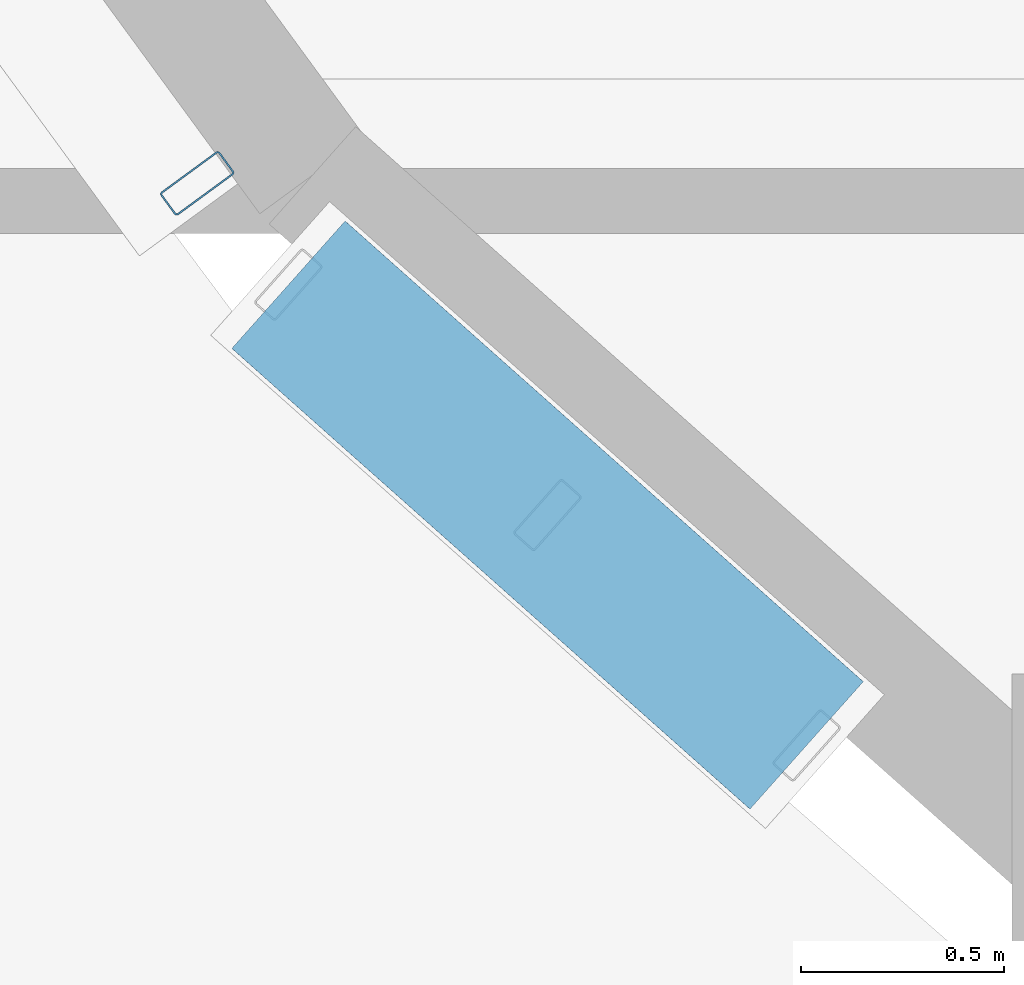
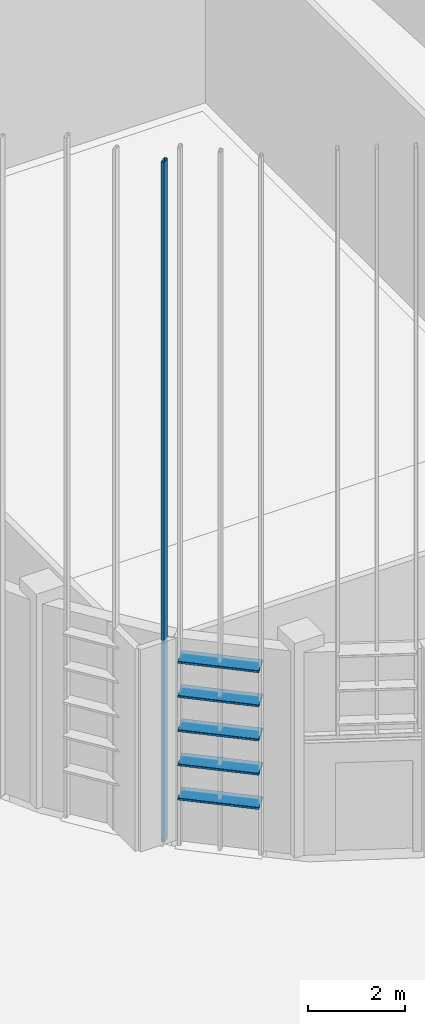
# One storey, part 154 of 372: 6 members.
"""IFC4 building model written with IfcOpenShell, lengths in metres."""

from ifc_helpers import new_model, si_unit, direction, frame, origin, origin_2d, place, context, subcontext, project, spatial, hollow_rectangle, extrude, material, material_profile, profile_set, type_object, element, save


model = new_model("IFC4")

# Units and contexts
model_context = context("Model", 3, precision=1e-05, world=origin(), true_north=direction((0.0, 1.0)))
body_context = subcontext(model_context, "Body", "Model", "MODEL_VIEW")
ifc_project = project(units=[si_unit("LENGTHUNIT", "METRE"), si_unit("AREAUNIT", "SQUARE_METRE"), si_unit("VOLUMEUNIT", "CUBIC_METRE"), si_unit("PLANEANGLEUNIT", "RADIAN"), si_unit("MASSUNIT", "GRAM", prefix="KILO")], contexts=[model_context])

# Site, building, storey
site_placement = place(None, origin())
site = spatial("IfcSite", under=ifc_project, at=site_placement, CompositionType="ELEMENT")
building_placement = place(site_placement, origin())
building = spatial("IfcBuilding", under=site, at=building_placement, Name="Kaelora Sail Theatre", CompositionType="ELEMENT")
storey_placement = place(building_placement, origin())
storey = spatial("IfcBuildingStorey", under=building, at=storey_placement, Name="L00", CompositionType="ELEMENT", Elevation=0.0)

# Members
ifc_material_1 = material(Name="Anodised aluminium 6063-T6", Category="aluminium")
ifc_material_profile_1 = material_profile(ifc_material_1, hollow_rectangle(XDim=0.419921875, YDim=0.054931640625, WallThickness=0.00390625, InnerFilletRadius=0.00390625, OuterFilletRadius=0.008056640625, at=origin_2d()), Name="LOUVRE 420x55x4")
ifc_profile_set_1 = profile_set([ifc_material_profile_1], Name="Anodised aluminium 6063-T6")
member_type_1 = type_object("IfcMemberType", Name="ARC-MEM-LVR-420", PredefinedType="USERDEFINED", material=ifc_profile_set_1)
for number, where, z_axis, x_axis, name in (
    (1, (129.939208984375, 25.662109375, 1.25), (-0.747346111026, 0.664434940633, 0.0), (-0.664434940633, -0.747346111026, 0.0), "Black-Box and Experimental Sail Wing horizontal solar louvre C13-01"),
    (2, (129.939208984375, 25.662109375, 2.110107421875), (-0.747346111026, 0.664434940633, 0.0), (-0.664434940633, -0.747346111026, 0.0), "Black-Box and Experimental Sail Wing horizontal solar louvre C13-02"),
    (3, (129.939208984375, 25.662109375, 2.969970703125), (-0.747346111026, 0.664434940633, 0.0), (-0.664434940633, -0.747346111026, 0.0), "Black-Box and Experimental Sail Wing horizontal solar louvre C13-03"),
    (4, (129.939208984375, 25.662109375, 3.830078125), (-0.747346111026, 0.664434940633, 0.0), (-0.664434940633, -0.747346111026, 0.0), "Black-Box and Experimental Sail Wing horizontal solar louvre C13-04"),
    (5, (129.939208984375, 25.662109375, 4.68994140625), (-0.747346111026, 0.664434940633, 0.0), (-0.664434940633, -0.747346111026, 0.0), "Black-Box and Experimental Sail Wing horizontal solar louvre C13-05"),
):
    element("IfcMember", number, at=place(storey_placement, frame(where, z_axis=z_axis, x_axis=x_axis)), inside=storey, type_object=member_type_1, Name=name, ObjectType="LOUVRE", PredefinedType="USERDEFINED", context=body_context, shape_type="SweptSolid", body=[
        extrude(hollow_rectangle(XDim=0.419921875, YDim=0.054931640625, WallThickness=0.00390625, InnerFilletRadius=0.00390625, OuterFilletRadius=0.008056640625, at=origin_2d()), origin(), (0.0, 0.0, 1.0), 1.704833984375),
    ])
ifc_material_2 = material(Name="Anodised aluminium 6063-T6", Category="aluminium")
ifc_material_profile_2 = material_profile(ifc_material_2, hollow_rectangle(XDim=0.070068359375, YDim=0.179931640625, WallThickness=0.00390625, InnerFilletRadius=0.00390625, OuterFilletRadius=0.008056640625, at=origin_2d()), Name="ALU-MULL 70x180x4")
ifc_profile_set_2 = profile_set([ifc_material_profile_2], Name="Anodised aluminium 6063-T6")
member_type_2 = type_object("IfcMemberType", Name="ARC-MEM-PST-160", PredefinedType="POST", material=ifc_profile_set_2)
member_placement = place(storey_placement, frame((128.44091796875, 27.0439453125, 0.0), z_axis=(0.0, 0.0, 1.0), x_axis=(-0.590464817481, 0.807063379987, 0.0)))
element("IfcMember", 6, at=member_placement, inside=storey, type_object=member_type_2, Name="Black-Box and Experimental Sail Wing solar louvre vertical support post C14-1", PredefinedType="POST", context=body_context, shape_type="SweptSolid", body=[
    extrude(hollow_rectangle(XDim=0.070068359375, YDim=0.179931640625, WallThickness=0.00390625, InnerFilletRadius=0.00390625, OuterFilletRadius=0.008056640625, at=origin_2d()), origin(), (0.0, 0.0, 1.0), 17.119140625),
])

save(model, "model.ifc")
